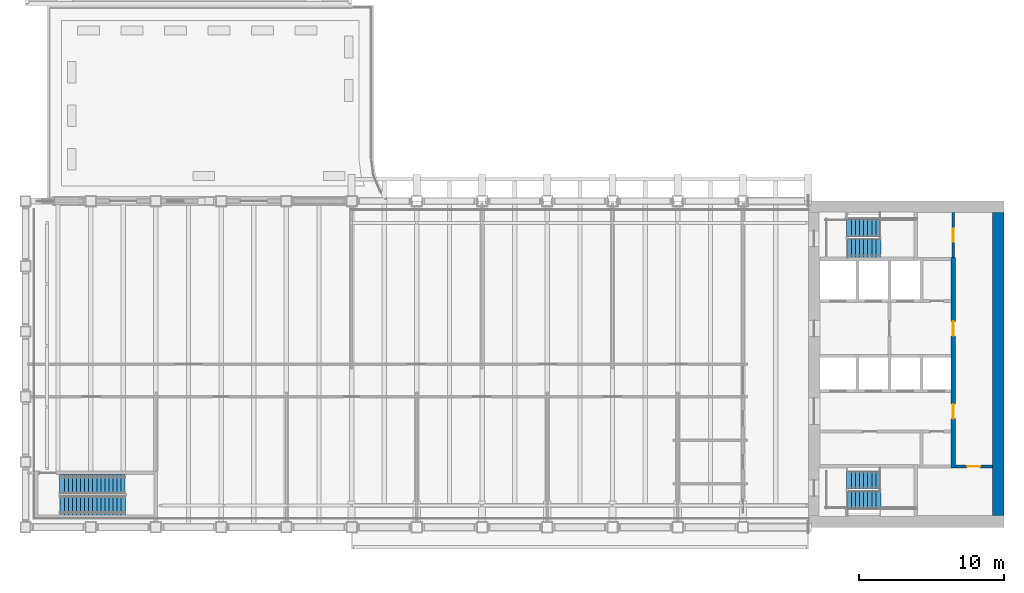
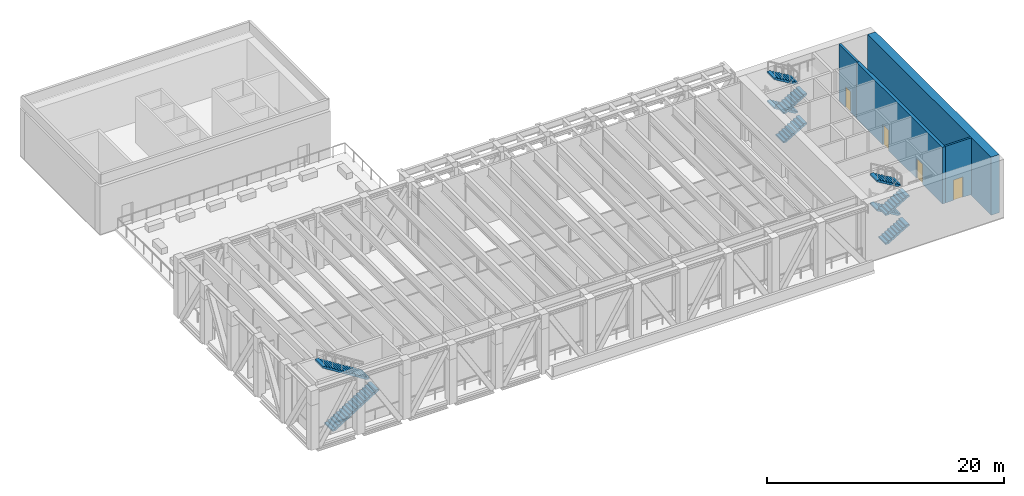
# One storey, part 13 of 20: 10 stair flights, 4 doors, 4 walls, 4 openings, 3 elements without a shape of their own.
"""IFC4 building model written with IfcOpenShell, lengths in metres."""

from ifc_helpers import new_model, si_unit, direction, frame, frame_2d, origin, place, context, subcontext, project, spatial, polyline, rectangle, outline, extrude, material, layer, layer_set, type_object, element, fill, aggregate, save


model = new_model("IFC4")

# Units and contexts
model_context = context("Model", 3, precision=1e-05, world=origin(), true_north=direction((0.0, 1.0)))
body_context = subcontext(model_context, "Body", "Model", "MODEL_VIEW")
ifc_project = project(units=[si_unit("LENGTHUNIT", "METRE"), si_unit("AREAUNIT", "SQUARE_METRE"), si_unit("VOLUMEUNIT", "CUBIC_METRE"), si_unit("PLANEANGLEUNIT", "RADIAN"), si_unit("MASSUNIT", "GRAM", prefix="KILO")], contexts=[model_context])

# Site, building, storey
site_placement = place(None, origin())
site = spatial("IfcSite", under=ifc_project, at=site_placement, CompositionType="ELEMENT")
building_placement = place(site_placement, origin())
building = spatial("IfcBuilding", under=site, at=building_placement, Name="Sennacour Bend Tower", CompositionType="ELEMENT")
storey_placement = place(building_placement, frame((0.0, 0.0, 243.0)))
storey = spatial("IfcBuildingStorey", under=building, at=storey_placement, Name="L56", CompositionType="ELEMENT", Elevation=243.0)

# Wall
ifc_material_1 = material(Name="Concrete C50/60", Category="concrete")
ifc_layer_1 = layer(ifc_material_1, 0.800048828125, Name="Concrete C50/60", Category="concrete")
ifc_layer_set_1 = layer_set([ifc_layer_1], Name="Concrete C50/60")
wall_type_1 = type_object("IfcWallType", Name="Core wall 800 C50/60", PredefinedType="SHEAR", material=ifc_layer_set_1)
wall_1_placement = place(storey_placement, frame((67.10009765625, 0.800048828125, -0.14990234375), z_axis=(0.0, 0.0, 1.0), x_axis=(0.0, 1.0, 0.0)))
element("IfcWall", 1, at=wall_1_placement, inside=storey, type_object=wall_type_1, Name="Core A wall L56 E", PredefinedType="SHEAR", context=body_context, shape_type="SweptSolid", body=[
    extrude(rectangle(XDim=20.89990234375, YDim=0.800048828125, at=frame_2d((10.449951171875, 0.0))), origin(), (0.0, 0.0, 1.0), 6.0),
])

# Wall, opening, door
ifc_material_2 = material(Name="Fire-rated plasterboard partition on steel studs", Category="steel")
ifc_layer_2 = layer(ifc_material_2, 0.199951171875, Name="Fire-rated plasterboard partition on steel studs", Category="steel")
ifc_layer_set_2 = layer_set([ifc_layer_2], Name="Fire-rated plasterboard partition on steel studs")
wall_type_2 = type_object("IfcWallType", Name="Rated partition 200", PredefinedType="PARTITIONING", material=ifc_layer_set_2)
wall_2_placement = place(storey_placement, frame((64.0, 18.60009765625, 0.0), z_axis=(0.0, 0.0, 1.0), x_axis=(0.0, 1.0, 0.0)))
wall_2 = element("IfcWall", 2, at=wall_2_placement, inside=storey, type_object=wall_type_2, Name="P-L56-W031", PredefinedType="PARTITIONING", context=body_context, shape_type="SweptSolid", body=[
    extrude(rectangle(XDim=3.099853515625, YDim=0.199951171875, at=frame_2d((1.5498046875, 0.0))), origin(), (0.0, 0.0, 1.0), 5.85009765625),
])
opening_1_placement = place(wall_2_placement, frame((1.099853515625, 0.0, 0.0)))
opening_1 = element("IfcOpeningElement", 3, at=opening_1_placement, cuts=wall_2, Name="Opening SV", PredefinedType="OPENING", context=body_context, shape_type="SweptSolid", body=[
    extrude(rectangle(XDim=0.89990234375, YDim=2.10009765625, at=frame_2d((0.449951171875, 1.050048828125))), frame((0.0, 0.10986328125, 0.0), z_axis=(0.0, -1.0, 0.0), x_axis=(1.0, 0.0, 0.0)), (0.0, 0.0, 1.0), 0.219970703125),
])
ifc_material_3 = material(Name="Painted steel", Category="steel")
door_type_1 = type_object("IfcDoorType", Name="DR-SERVICE-900", OperationType="NOTDEFINED", PredefinedType="DOOR", material=ifc_material_3)
door_1_placement = place(opening_1_placement, origin())
door_1 = element("IfcDoor", 4, at=door_1_placement, inside=storey, type_object=door_type_1, Name="Door", OperationType="SINGLE_SWING_LEFT", OverallHeight=2.10009765625, OverallWidth=0.89990234375, PredefinedType="DOOR", context=body_context, shape_type="SweptSolid", body=[
    extrude(rectangle(XDim=0.89990234375, YDim=2.10009765625, at=frame_2d((0.449951171875, 1.050048828125))), frame((0.0, 0.02490234375, 0.0), z_axis=(0.0, -1.0, 0.0), x_axis=(1.0, 0.0, 0.0)), (0.0, 0.0, 1.0), 0.050048828125),
])
fill(opening_1, door_1)

wall_3_placement = place(storey_placement, frame((64.14990234375, 4.199951171875, 0.0), z_axis=(0.0, 0.0, 1.0), x_axis=(1.0, 0.0, 0.0)))
wall_3 = element("IfcWall", 5, at=wall_3_placement, inside=storey, type_object=wall_type_2, Name="P-L56-W038c", PredefinedType="PARTITIONING", context=body_context, shape_type="SweptSolid", body=[
    extrude(rectangle(XDim=2.550048828125, YDim=0.199951171875, at=frame_2d((1.27490234375, 0.0))), origin(), (0.0, 0.0, 1.0), 5.85009765625),
])
opening_2_placement = place(wall_3_placement, frame((0.800048828125, 0.0, 0.0)))
opening_2 = element("IfcOpeningElement", 6, at=opening_2_placement, cuts=wall_3, Name="Opening SV", PredefinedType="OPENING", context=body_context, shape_type="SweptSolid", body=[
    extrude(rectangle(XDim=0.89990234375, YDim=2.10009765625, at=frame_2d((0.449951171875, 1.050048828125))), frame((0.0, 0.10986328125, 0.0), z_axis=(0.0, -1.0, 0.0), x_axis=(1.0, 0.0, 0.0)), (0.0, 0.0, 1.0), 0.219970703125),
])
door_2_placement = place(opening_2_placement, origin())
door_2 = element("IfcDoor", 7, at=door_2_placement, inside=storey, type_object=door_type_1, Name="Door", OperationType="SINGLE_SWING_LEFT", OverallHeight=2.10009765625, OverallWidth=0.89990234375, PredefinedType="DOOR", context=body_context, shape_type="SweptSolid", body=[
    extrude(rectangle(XDim=0.89990234375, YDim=2.10009765625, at=frame_2d((0.449951171875, 1.050048828125))), frame((0.0, 0.02490234375, 0.0), z_axis=(0.0, -1.0, 0.0), x_axis=(1.0, 0.0, 0.0)), (0.0, 0.0, 1.0), 0.050048828125),
])
fill(opening_2, door_2)

# Wall, openings, doors
ifc_material_4 = material(Name="Concrete C60/75", Category="concrete")
ifc_layer_3 = layer(ifc_material_4, 0.300048828125, Name="Concrete C60/75", Category="concrete")
ifc_layer_set_3 = layer_set([ifc_layer_3], Name="Concrete C60/75")
wall_type_3 = type_object("IfcWallType", Name="Spine wall 300", PredefinedType="SHEAR", material=ifc_layer_set_3)
wall_4_placement = place(storey_placement, frame((64.0, 4.10009765625, 0.0), z_axis=(0.0, 0.0, 1.0), x_axis=(0.0, 1.0, 0.0)))
wall_4 = element("IfcWall", 8, at=wall_4_placement, inside=storey, type_object=wall_type_3, Name="P-L56-W030", PredefinedType="SHEAR", context=body_context, shape_type="SweptSolid", body=[
    extrude(rectangle(XDim=14.5, YDim=0.300048828125, at=frame_2d((7.25, 0.0))), origin(), (0.0, 0.0, 1.0), 5.85009765625),
])
opening_3_placement = place(wall_4_placement, frame((3.39990234375, 0.0, 0.0)))
opening_3 = element("IfcOpeningElement", 9, at=opening_3_placement, cuts=wall_4, Name="Opening CD2", PredefinedType="OPENING", context=body_context, shape_type="SweptSolid", body=[
    extrude(rectangle(XDim=1.0, YDim=2.10009765625, at=frame_2d((0.5, 1.050048828125))), frame((0.0, 0.16015625, 0.0), z_axis=(0.0, -1.0, 0.0), x_axis=(1.0, 0.0, 0.0)), (0.0, 0.0, 1.0), 0.320068359375),
])
opening_4_placement = place(wall_4_placement, frame((9.099853515625, 0.0, 0.0)))
opening_4 = element("IfcOpeningElement", 10, at=opening_4_placement, cuts=wall_4, Name="Opening CD2", PredefinedType="OPENING", context=body_context, shape_type="SweptSolid", body=[
    extrude(rectangle(XDim=1.0, YDim=2.10009765625, at=frame_2d((0.5, 1.050048828125))), frame((0.0, 0.16015625, 0.0), z_axis=(0.0, -1.0, 0.0), x_axis=(1.0, 0.0, 0.0)), (0.0, 0.0, 1.0), 0.320068359375),
])
door_type_2 = type_object("IfcDoorType", Name="DR-LOBBY-1000", OperationType="NOTDEFINED", PredefinedType="DOOR", material=ifc_material_3)
door_3_placement = place(opening_3_placement, origin())
door_3 = element("IfcDoor", 11, at=door_3_placement, inside=storey, type_object=door_type_2, Name="Door", OperationType="SINGLE_SWING_LEFT", OverallHeight=2.10009765625, OverallWidth=1.0, PredefinedType="DOOR", context=body_context, shape_type="SweptSolid", body=[
    extrude(rectangle(XDim=1.0, YDim=2.10009765625, at=frame_2d((0.5, 1.050048828125))), frame((0.0, 0.02490234375, 0.0), z_axis=(0.0, -1.0, 0.0), x_axis=(1.0, 0.0, 0.0)), (0.0, 0.0, 1.0), 0.050048828125),
])
fill(opening_3, door_3)
door_4_placement = place(opening_4_placement, origin())
door_4 = element("IfcDoor", 12, at=door_4_placement, inside=storey, type_object=door_type_2, Name="Door", OperationType="SINGLE_SWING_RIGHT", OverallHeight=2.10009765625, OverallWidth=1.0, PredefinedType="DOOR", context=body_context, shape_type="SweptSolid", body=[
    extrude(rectangle(XDim=1.0, YDim=2.10009765625, at=frame_2d((0.5, 1.050048828125))), frame((0.0, 0.02490234375, 0.0), z_axis=(0.0, -1.0, 0.0), x_axis=(1.0, 0.0, 0.0)), (0.0, 0.0, 1.0), 0.050048828125),
])
fill(opening_4, door_4)

# Stair, stair flights
ifc_material_5 = material(Name="Concrete C40/50", Category="concrete")
stair_type = type_object("IfcStairType", Name="ST-DOGLEG", PredefinedType="HALF_TURN_STAIR", material=ifc_material_5)
stair_1_placement = place(storey_placement, origin())
stair_1 = element("IfcStair", 13, at=stair_1_placement, inside=storey, type_object=stair_type, Name="L56 Exit stair A1", PredefinedType="HALF_TURN_STAIR")
stair_flight_type = type_object("IfcStairFlightType", Name="SFL-RC", PredefinedType="STRAIGHT", material=ifc_material_5)
stair_flight_1_placement = place(storey_placement, frame((56.699951171875, 1.89990234375, 0.0), z_axis=(0.0, 0.0, 1.0), x_axis=(1.0, 0.0, 0.0)))
stair_flight_1 = element("IfcStairFlight", 14, at=stair_flight_1_placement, type_object=stair_flight_type, Name="SA1 flight 1", NumberOfRisers=9, NumberOfTreads=8, PredefinedType="STRAIGHT", RiserHeight=0.166666667, TreadLength=0.28, context=body_context, shape_type="SweptSolid", body=[
    extrude(outline(polyline([(0.0, 0.0), (0.0, 0.166748046875), (0.280029296875, 0.166748046875), (0.280029296875, 0.333251953125), (0.56005859375, 0.333251953125), (0.56005859375, 0.5), (0.840087890625, 0.5), (0.840087890625, 0.666748046875), (1.1201171875, 0.666748046875), (1.1201171875, 0.833251953125), (1.39990234375, 0.833251953125), (1.39990234375, 1.0), (1.679931640625, 1.0), (1.679931640625, 1.166748046875), (1.9599609375, 1.166748046875), (1.9599609375, 1.333251953125), (2.239990234375, 1.333251953125), (2.300048828125, 1.333251953125), (2.300048828125, 1.158935546875), (2.239990234375, 1.158935546875), (0.29296875, 0.0), (0.0, 0.0)])), frame((0.0, 0.60009765625, 0.0), z_axis=(0.0, -1.0, 0.0), x_axis=(1.0, 0.0, 0.0)), (0.0, 0.0, 1.0), 1.199951171875),
])
stair_flight_2_placement = place(storey_placement, frame((58.93994140625, 3.25, 1.5), z_axis=(0.0, 0.0, 1.0), x_axis=(-1.0, 0.0, 0.0)))
stair_flight_2 = element("IfcStairFlight", 15, at=stair_flight_2_placement, type_object=stair_flight_type, Name="SA1 flight 2", NumberOfRisers=9, NumberOfTreads=8, PredefinedType="STRAIGHT", RiserHeight=0.166666667, TreadLength=0.28, context=body_context, shape_type="SweptSolid", body=[
    extrude(outline(polyline([(0.0, 0.0), (0.0, 0.166748046875), (0.280029296875, 0.166748046875), (0.280029296875, 0.333251953125), (0.56005859375, 0.333251953125), (0.56005859375, 0.5), (0.840087890625, 0.5), (0.840087890625, 0.666748046875), (1.1201171875, 0.666748046875), (1.1201171875, 0.833251953125), (1.39990234375, 0.833251953125), (1.39990234375, 1.0), (1.679931640625, 1.0), (1.679931640625, 1.166748046875), (1.9599609375, 1.166748046875), (1.9599609375, 1.333251953125), (2.239990234375, 1.333251953125), (2.300048828125, 1.333251953125), (2.300048828125, 1.158935546875), (2.239990234375, 1.158935546875), (0.29296875, 0.0), (0.0, 0.0)])), frame((0.0, 0.60009765625, 0.0), z_axis=(0.0, -1.0, 0.0), x_axis=(1.0, 0.0, 0.0)), (0.0, 0.0, 1.0), 1.199951171875),
])
stair_flight_3_placement = place(storey_placement, frame((56.699951171875, 1.89990234375, 3.0), z_axis=(0.0, 0.0, 1.0), x_axis=(1.0, 0.0, 0.0)))
stair_flight_3 = element("IfcStairFlight", 16, at=stair_flight_3_placement, type_object=stair_flight_type, Name="SA1 flight 3", NumberOfRisers=9, NumberOfTreads=8, PredefinedType="STRAIGHT", RiserHeight=0.166666667, TreadLength=0.28, context=body_context, shape_type="SweptSolid", body=[
    extrude(outline(polyline([(0.0, 0.0), (0.0, 0.166748046875), (0.280029296875, 0.166748046875), (0.280029296875, 0.333251953125), (0.56005859375, 0.333251953125), (0.56005859375, 0.5), (0.840087890625, 0.5), (0.840087890625, 0.666748046875), (1.1201171875, 0.666748046875), (1.1201171875, 0.833251953125), (1.39990234375, 0.833251953125), (1.39990234375, 1.0), (1.679931640625, 1.0), (1.679931640625, 1.166748046875), (1.9599609375, 1.166748046875), (1.9599609375, 1.333251953125), (2.239990234375, 1.333251953125), (2.300048828125, 1.333251953125), (2.300048828125, 1.158935546875), (2.239990234375, 1.158935546875), (0.29296875, 0.0), (0.0, 0.0)])), frame((0.0, 0.60009765625, 0.0), z_axis=(0.0, -1.0, 0.0), x_axis=(1.0, 0.0, 0.0)), (0.0, 0.0, 1.0), 1.199951171875),
])
stair_flight_4_placement = place(storey_placement, frame((58.93994140625, 3.25, 4.5), z_axis=(0.0, 0.0, 1.0), x_axis=(-1.0, 0.0, 0.0)))
stair_flight_4 = element("IfcStairFlight", 17, at=stair_flight_4_placement, type_object=stair_flight_type, Name="SA1 flight 4", NumberOfRisers=9, NumberOfTreads=8, PredefinedType="STRAIGHT", RiserHeight=0.166666667, TreadLength=0.28, context=body_context, shape_type="SweptSolid", body=[
    extrude(outline(polyline([(0.0, 0.0), (0.0, 0.166748046875), (0.280029296875, 0.166748046875), (0.280029296875, 0.333251953125), (0.56005859375, 0.333251953125), (0.56005859375, 0.5), (0.840087890625, 0.5), (0.840087890625, 0.666748046875), (1.1201171875, 0.666748046875), (1.1201171875, 0.833251953125), (1.39990234375, 0.833251953125), (1.39990234375, 1.0), (1.679931640625, 1.0), (1.679931640625, 1.166748046875), (1.9599609375, 1.166748046875), (1.9599609375, 1.333251953125), (2.239990234375, 1.333251953125), (2.300048828125, 1.333251953125), (2.300048828125, 1.158935546875), (2.239990234375, 1.158935546875), (0.29296875, 0.0), (0.0, 0.0)])), frame((0.0, 0.60009765625, 0.0), z_axis=(0.0, -1.0, 0.0), x_axis=(1.0, 0.0, 0.0)), (0.0, 0.0, 1.0), 1.199951171875),
])
aggregate(stair_1, [stair_flight_1, stair_flight_2, stair_flight_3, stair_flight_4])

stair_2_placement = place(storey_placement, origin())
stair_2 = element("IfcStair", 18, at=stair_2_placement, inside=storey, type_object=stair_type, Name="L56 Exit stair A2", PredefinedType="HALF_TURN_STAIR")
stair_flight_5_placement = place(storey_placement, frame((56.699951171875, 19.24755859375, 0.0), z_axis=(0.0, 0.0, 1.0), x_axis=(1.0, 0.0, 0.0)))
stair_flight_5 = element("IfcStairFlight", 19, at=stair_flight_5_placement, type_object=stair_flight_type, Name="SA2 flight 1", NumberOfRisers=9, NumberOfTreads=8, PredefinedType="STRAIGHT", RiserHeight=0.166666667, TreadLength=0.28, context=body_context, shape_type="SweptSolid", body=[
    extrude(outline(polyline([(0.0, 0.0), (0.0, 0.166748046875), (0.280029296875, 0.166748046875), (0.280029296875, 0.333251953125), (0.56005859375, 0.333251953125), (0.56005859375, 0.5), (0.840087890625, 0.5), (0.840087890625, 0.666748046875), (1.1201171875, 0.666748046875), (1.1201171875, 0.833251953125), (1.39990234375, 0.833251953125), (1.39990234375, 1.0), (1.679931640625, 1.0), (1.679931640625, 1.166748046875), (1.9599609375, 1.166748046875), (1.9599609375, 1.333251953125), (2.239990234375, 1.333251953125), (2.300048828125, 1.333251953125), (2.300048828125, 1.158935546875), (2.239990234375, 1.158935546875), (0.29296875, 0.0), (0.0, 0.0)])), frame((0.0, 0.65234375, 0.0), z_axis=(0.0, -1.0, 0.0), x_axis=(1.0, 0.0, 0.0)), (0.0, 0.0, 1.0), 1.304931640625),
])
stair_flight_6_placement = place(storey_placement, frame((58.93994140625, 20.64990234375, 1.5), z_axis=(0.0, 0.0, 1.0), x_axis=(-1.0, 0.0, 0.0)))
stair_flight_6 = element("IfcStairFlight", 20, at=stair_flight_6_placement, type_object=stair_flight_type, Name="SA2 flight 2", NumberOfRisers=9, NumberOfTreads=8, PredefinedType="STRAIGHT", RiserHeight=0.166666667, TreadLength=0.28, context=body_context, shape_type="SweptSolid", body=[
    extrude(outline(polyline([(0.0, 0.0), (0.0, 0.166748046875), (0.280029296875, 0.166748046875), (0.280029296875, 0.333251953125), (0.56005859375, 0.333251953125), (0.56005859375, 0.5), (0.840087890625, 0.5), (0.840087890625, 0.666748046875), (1.1201171875, 0.666748046875), (1.1201171875, 0.833251953125), (1.39990234375, 0.833251953125), (1.39990234375, 1.0), (1.679931640625, 1.0), (1.679931640625, 1.166748046875), (1.9599609375, 1.166748046875), (1.9599609375, 1.333251953125), (2.239990234375, 1.333251953125), (2.300048828125, 1.333251953125), (2.300048828125, 1.158935546875), (2.239990234375, 1.158935546875), (0.29296875, 0.0), (0.0, 0.0)])), frame((0.0, 0.60009765625, 0.0), z_axis=(0.0, -1.0, 0.0), x_axis=(1.0, 0.0, 0.0)), (0.0, 0.0, 1.0), 1.199951171875),
])
stair_flight_7_placement = place(storey_placement, frame((56.699951171875, 19.24755859375, 3.0), z_axis=(0.0, 0.0, 1.0), x_axis=(1.0, 0.0, 0.0)))
stair_flight_7 = element("IfcStairFlight", 21, at=stair_flight_7_placement, type_object=stair_flight_type, Name="SA2 flight 3", NumberOfRisers=9, NumberOfTreads=8, PredefinedType="STRAIGHT", RiserHeight=0.166666667, TreadLength=0.28, context=body_context, shape_type="SweptSolid", body=[
    extrude(outline(polyline([(0.0, 0.0), (0.0, 0.166748046875), (0.280029296875, 0.166748046875), (0.280029296875, 0.333251953125), (0.56005859375, 0.333251953125), (0.56005859375, 0.5), (0.840087890625, 0.5), (0.840087890625, 0.666748046875), (1.1201171875, 0.666748046875), (1.1201171875, 0.833251953125), (1.39990234375, 0.833251953125), (1.39990234375, 1.0), (1.679931640625, 1.0), (1.679931640625, 1.166748046875), (1.9599609375, 1.166748046875), (1.9599609375, 1.333251953125), (2.239990234375, 1.333251953125), (2.300048828125, 1.333251953125), (2.300048828125, 1.158935546875), (2.239990234375, 1.158935546875), (0.29296875, 0.0), (0.0, 0.0)])), frame((0.0, 0.65234375, 0.0), z_axis=(0.0, -1.0, 0.0), x_axis=(1.0, 0.0, 0.0)), (0.0, 0.0, 1.0), 1.304931640625),
])
stair_flight_8_placement = place(storey_placement, frame((58.93994140625, 20.64990234375, 4.5), z_axis=(0.0, 0.0, 1.0), x_axis=(-1.0, 0.0, 0.0)))
stair_flight_8 = element("IfcStairFlight", 22, at=stair_flight_8_placement, type_object=stair_flight_type, Name="SA2 flight 4", NumberOfRisers=9, NumberOfTreads=8, PredefinedType="STRAIGHT", RiserHeight=0.166666667, TreadLength=0.28, context=body_context, shape_type="SweptSolid", body=[
    extrude(outline(polyline([(0.0, 0.0), (0.0, 0.166748046875), (0.280029296875, 0.166748046875), (0.280029296875, 0.333251953125), (0.56005859375, 0.333251953125), (0.56005859375, 0.5), (0.840087890625, 0.5), (0.840087890625, 0.666748046875), (1.1201171875, 0.666748046875), (1.1201171875, 0.833251953125), (1.39990234375, 0.833251953125), (1.39990234375, 1.0), (1.679931640625, 1.0), (1.679931640625, 1.166748046875), (1.9599609375, 1.166748046875), (1.9599609375, 1.333251953125), (2.239990234375, 1.333251953125), (2.300048828125, 1.333251953125), (2.300048828125, 1.158935546875), (2.239990234375, 1.158935546875), (0.29296875, 0.0), (0.0, 0.0)])), frame((0.0, 0.60009765625, 0.0), z_axis=(0.0, -1.0, 0.0), x_axis=(1.0, 0.0, 0.0)), (0.0, 0.0, 1.0), 1.199951171875),
])
aggregate(stair_2, [stair_flight_5, stair_flight_6, stair_flight_7, stair_flight_8])

stair_3_placement = place(storey_placement, origin())
stair_3 = element("IfcStair", 23, at=stair_3_placement, inside=storey, type_object=stair_type, Name="L56 Exit stair K1", PredefinedType="HALF_TURN_STAIR")
stair_flight_9_placement = place(storey_placement, frame((2.39990234375, 1.485107421875, 0.0), z_axis=(0.0, 0.0, 1.0), x_axis=(1.0, 0.0, 0.0)))
stair_flight_9 = element("IfcStairFlight", 24, at=stair_flight_9_placement, type_object=stair_flight_type, Name="SK1 flight 1", NumberOfRisers=17, NumberOfTreads=16, PredefinedType="STRAIGHT", RiserHeight=0.176470588, TreadLength=0.28, context=body_context, shape_type="SweptSolid", body=[
    extrude(outline(polyline([(0.0, 0.0), (0.0, 0.176513671875), (0.280029296875, 0.176513671875), (0.280029296875, 0.35302734375), (0.56005859375, 0.35302734375), (0.56005859375, 0.529296875), (0.840087890625, 0.529296875), (0.840087890625, 0.705810546875), (1.1201171875, 0.705810546875), (1.1201171875, 0.88232421875), (1.39990234375, 0.88232421875), (1.39990234375, 1.058837890625), (1.679931640625, 1.058837890625), (1.679931640625, 1.2353515625), (1.9599609375, 1.2353515625), (1.9599609375, 1.411865234375), (2.239990234375, 1.411865234375), (2.239990234375, 1.588134765625), (2.52001953125, 1.588134765625), (2.52001953125, 1.7646484375), (2.800048828125, 1.7646484375), (2.800048828125, 1.941162109375), (3.080078125, 1.941162109375), (3.080078125, 2.11767578125), (3.360107421875, 2.11767578125), (3.360107421875, 2.294189453125), (3.639892578125, 2.294189453125), (3.639892578125, 2.470703125), (3.919921875, 2.470703125), (3.919921875, 2.64697265625), (4.199951171875, 2.64697265625), (4.199951171875, 2.823486328125), (4.47998046875, 2.823486328125), (4.5400390625, 2.823486328125), (4.5400390625, 2.646240234375), (4.47998046875, 2.646240234375), (0.28125, 0.0), (0.0, 0.0)])), frame((0.0, 0.6650390625, 0.0), z_axis=(0.0, -1.0, 0.0), x_axis=(1.0, 0.0, 0.0)), (0.0, 0.0, 1.0), 1.330078125),
])
stair_flight_10_placement = place(storey_placement, frame((6.8798828125, 2.9775390625, 3.0), z_axis=(0.0, 0.0, 1.0), x_axis=(-1.0, 0.0, 0.0)))
stair_flight_10 = element("IfcStairFlight", 25, at=stair_flight_10_placement, type_object=stair_flight_type, Name="SK1 flight 2", NumberOfRisers=17, NumberOfTreads=16, PredefinedType="STRAIGHT", RiserHeight=0.176470588, TreadLength=0.28, context=body_context, shape_type="SweptSolid", body=[
    extrude(outline(polyline([(0.0, 0.0), (0.0, 0.176513671875), (0.280029296875, 0.176513671875), (0.280029296875, 0.35302734375), (0.56005859375, 0.35302734375), (0.56005859375, 0.529296875), (0.840087890625, 0.529296875), (0.840087890625, 0.705810546875), (1.1201171875, 0.705810546875), (1.1201171875, 0.88232421875), (1.39990234375, 0.88232421875), (1.39990234375, 1.058837890625), (1.679931640625, 1.058837890625), (1.679931640625, 1.2353515625), (1.9599609375, 1.2353515625), (1.9599609375, 1.411865234375), (2.239990234375, 1.411865234375), (2.239990234375, 1.588134765625), (2.52001953125, 1.588134765625), (2.52001953125, 1.7646484375), (2.800048828125, 1.7646484375), (2.800048828125, 1.941162109375), (3.080078125, 1.941162109375), (3.080078125, 2.11767578125), (3.360107421875, 2.11767578125), (3.360107421875, 2.294189453125), (3.639892578125, 2.294189453125), (3.639892578125, 2.470703125), (3.919921875, 2.470703125), (3.919921875, 2.64697265625), (4.199951171875, 2.64697265625), (4.199951171875, 2.823486328125), (4.47998046875, 2.823486328125), (4.5400390625, 2.823486328125), (4.5400390625, 2.646240234375), (4.47998046875, 2.646240234375), (0.28125, 0.0), (0.0, 0.0)])), frame((0.0, 0.677490234375, 0.0), z_axis=(0.0, -1.0, 0.0), x_axis=(1.0, 0.0, 0.0)), (0.0, 0.0, 1.0), 1.35498046875),
])
aggregate(stair_3, [stair_flight_9, stair_flight_10])

save(model, "model.ifc")
